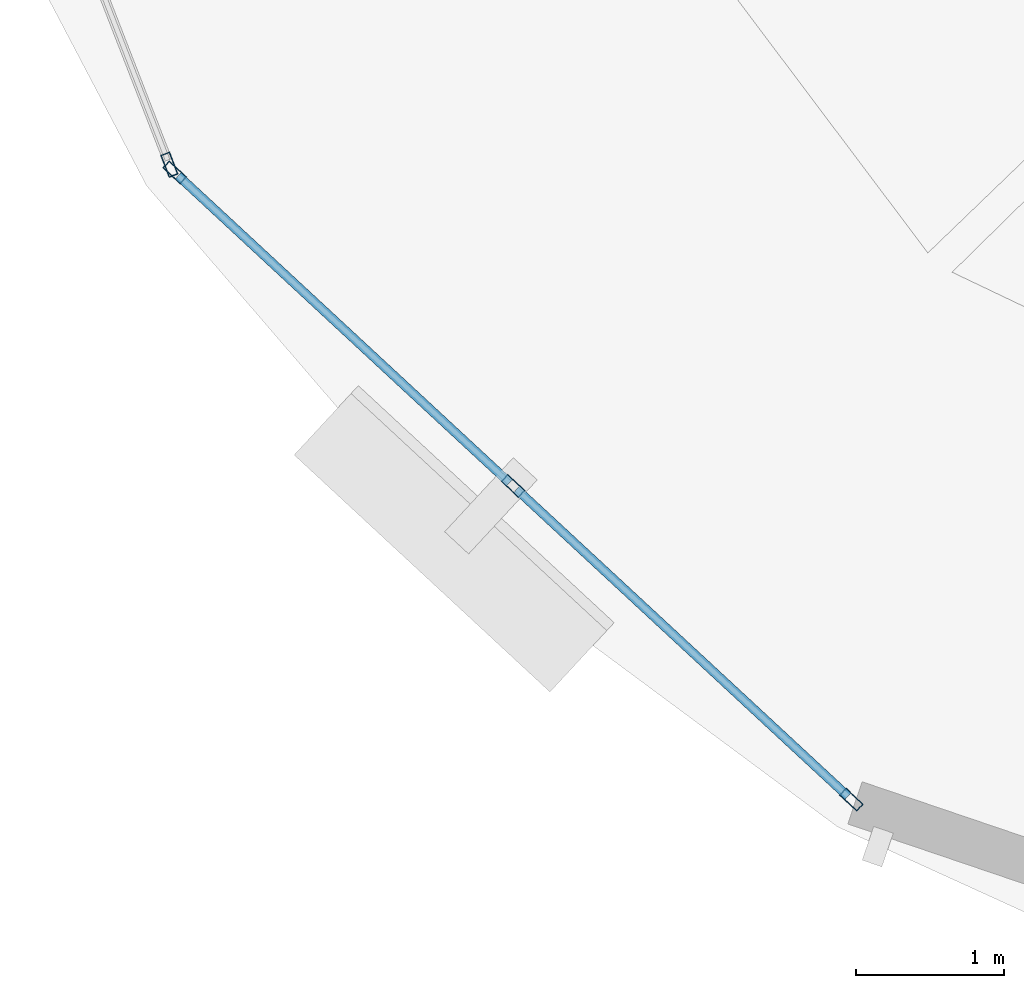
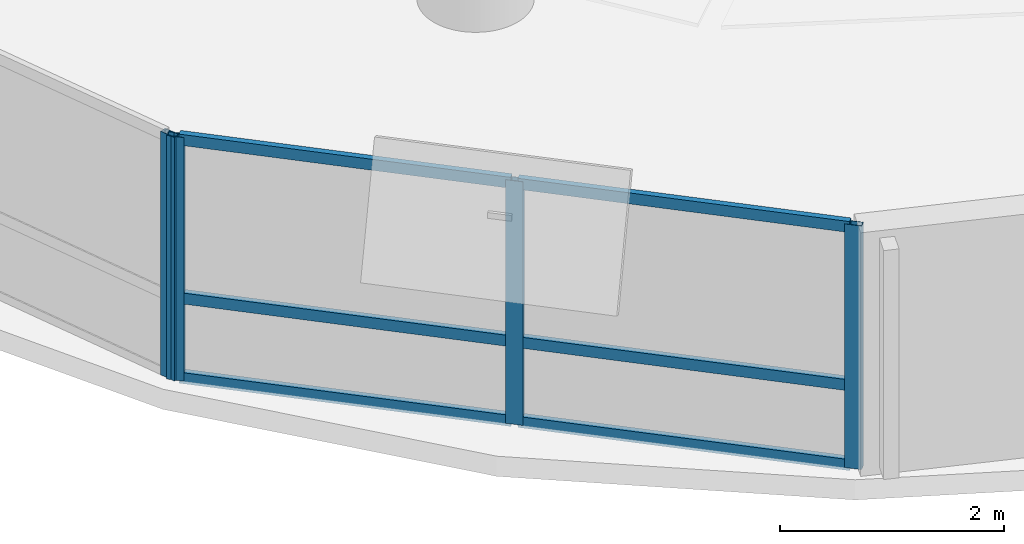
# One storey, part 2 of 12: 10 members, 2 elements without a shape of their own.
"""IFC4 building model written with IfcOpenShell, lengths in metres."""

from ifc_helpers import new_model, si_unit, direction, frame, origin, origin_2d, place, context, subcontext, project, spatial, hollow_rectangle, extrude, material, layer, layer_set, material_profile, profile_set, type_object, element, aggregate, save


model = new_model("IFC4")

# Units and contexts
model_context = context("Model", 3, precision=1e-05, world=origin(), true_north=direction((0.0, 1.0)))
body_context = subcontext(model_context, "Body", "Model", "MODEL_VIEW")
ifc_project = project(units=[si_unit("LENGTHUNIT", "METRE"), si_unit("AREAUNIT", "SQUARE_METRE"), si_unit("VOLUMEUNIT", "CUBIC_METRE"), si_unit("PLANEANGLEUNIT", "RADIAN"), si_unit("MASSUNIT", "GRAM", prefix="KILO"), si_unit("THERMODYNAMICTEMPERATUREUNIT", "KELVIN"), si_unit("POWERUNIT", "WATT")], contexts=[model_context])

# Site, building, storey
site_placement = place(None, origin())
site = spatial("IfcSite", under=ifc_project, at=site_placement, CompositionType="ELEMENT")
building_placement = place(site_placement, origin())
building = spatial("IfcBuilding", under=site, at=building_placement, Name="Ocrelia Relay Tower", CompositionType="ELEMENT")
storey_placement = place(building_placement, frame((0.0, 0.0, 177.199951171875)))
storey = spatial("IfcBuildingStorey", under=building, at=storey_placement, Name="L42", CompositionType="ELEMENT", Elevation=177.199951171875)

# Curtain wall, member
ifc_material_1 = material(Name="Aluminium and solar-control low-E glass", Category="aluminium")
ifc_layer = layer(ifc_material_1, 0.179931640625, Name="Aluminium and solar-control low-E glass")
ifc_layer_set = layer_set([ifc_layer], Name="Aluminium and solar-control low-E glass")
curtain_wall_type = type_object("IfcCurtainWallType", Name="CW-SYS-Z3-CLOU", PredefinedType="NOTDEFINED", material=ifc_layer_set)
curtain_wall_1_placement = place(storey_placement, origin())
curtain_wall_1 = element("IfcCurtainWall", 1, at=curtain_wall_1_placement, inside=storey, type_object=curtain_wall_type, Name="L42 Elliptical Tower Curtain Wall Bay 09", PredefinedType="NOTDEFINED")
ifc_material_2 = material(Name="Anodised bronze aluminium", Category="aluminium")
ifc_material_profile_1 = material_profile(ifc_material_2, hollow_rectangle(XDim=0.06494140625, YDim=0.159912109375, WallThickness=0.0048828125, at=origin_2d()), Name="CW-MUL-160x65")
ifc_profile_set_1 = profile_set([ifc_material_profile_1], Name="Anodised bronze aluminium")
member_type_1 = type_object("IfcMemberType", Name="CW-SYS-Z3-CLOU-MUL", PredefinedType="MULLION", material=ifc_profile_set_1)
member_1_placement = place(storey_placement, frame((14.634521484375, 12.87744140625, 0.0), z_axis=(0.0, 0.0, 1.0), x_axis=(0.932200483854, 0.361942340578, 0.0)))
member_1 = element("IfcMember", 2, at=member_1_placement, type_object=member_type_1, Name="CW-Z3 mullion 3", PredefinedType="MULLION", context=body_context, shape_type="SweptSolid", body=[
    extrude(hollow_rectangle(XDim=0.06494140625, YDim=0.159912109375, WallThickness=0.0048828125, at=origin_2d()), origin(), (0.0, 0.0, 1.0), 2.66015625),
])
aggregate(curtain_wall_1, [member_1])

# Curtain wall, members
curtain_wall_2_placement = place(storey_placement, origin())
curtain_wall_2 = element("IfcCurtainWall", 3, at=curtain_wall_2_placement, inside=storey, type_object=curtain_wall_type, Name="L42 Elliptical Tower Curtain Wall Bay 10", PredefinedType="NOTDEFINED")
member_2_placement = place(storey_placement, frame((14.670166015625, 12.8251953125, 0.0), z_axis=(0.0, 0.0, 1.0), x_axis=(0.679695539892, 0.733494357886, 0.0)))
member_2 = element("IfcMember", 4, at=member_2_placement, type_object=member_type_1, Name="CW-Z3 mullion 1", PredefinedType="MULLION", context=body_context, shape_type="SweptSolid", body=[
    extrude(hollow_rectangle(XDim=0.06494140625, YDim=0.159912109375, WallThickness=0.0048828125, at=origin_2d()), origin(), (0.0, 0.0, 1.0), 2.66015625),
])
member_3_placement = place(storey_placement, frame((16.950439453125, 10.712158203125, 0.0), z_axis=(0.0, 0.0, 1.0), x_axis=(0.679695539892, 0.733494357886, 0.0)))
member_3 = element("IfcMember", 5, at=member_3_placement, type_object=member_type_1, Name="CW-Z3 mullion 2", PredefinedType="MULLION", context=body_context, shape_type="SweptSolid", body=[
    extrude(hollow_rectangle(XDim=0.06494140625, YDim=0.159912109375, WallThickness=0.0048828125, at=origin_2d()), origin(), (0.0, 0.0, 1.0), 2.66015625),
])
member_4_placement = place(storey_placement, frame((19.230712890625, 8.598876953125, 0.0), z_axis=(0.0, 0.0, 1.0), x_axis=(0.679695539892, 0.733494357886, 0.0)))
member_4 = element("IfcMember", 6, at=member_4_placement, type_object=member_type_1, Name="CW-Z3 mullion 3", PredefinedType="MULLION", context=body_context, shape_type="SweptSolid", body=[
    extrude(hollow_rectangle(XDim=0.06494140625, YDim=0.159912109375, WallThickness=0.0048828125, at=origin_2d()), origin(), (0.0, 0.0, 1.0), 2.66015625),
])
ifc_material_profile_2 = material_profile(ifc_material_2, hollow_rectangle(XDim=0.06005859375, YDim=0.1201171875, WallThickness=0.0048828125, at=origin_2d()), Name="CW-TRN-120x60")
ifc_profile_set_2 = profile_set([ifc_material_profile_2], Name="Anodised bronze aluminium")
member_type_2 = type_object("IfcMemberType", Name="CW-SYS-Z3-CLOU-TRN", PredefinedType="USERDEFINED", material=ifc_profile_set_2)
member_5_placement = place(storey_placement, frame((14.694091796875, 12.802978515625, 0.030029296875), z_axis=(0.733467360337, -0.679724673173, 0.0), x_axis=(0.679724673173, 0.733467360337, 0.0)))
member_5 = element("IfcMember", 7, at=member_5_placement, type_object=member_type_2, Name="CW-Z3 transom 1.1", ObjectType="TRANSOM", PredefinedType="USERDEFINED", context=body_context, shape_type="SweptSolid", body=[
    extrude(hollow_rectangle(XDim=0.06005859375, YDim=0.1201171875, WallThickness=0.0048828125, at=origin_2d()), origin(), (0.0, 0.0, 1.0), 3.043701171875),
])
member_6_placement = place(storey_placement, frame((14.694091796875, 12.802978515625, 0.900146484375), z_axis=(0.733467360337, -0.679724673173, 0.0), x_axis=(0.679724673173, 0.733467360337, 0.0)))
member_6 = element("IfcMember", 8, at=member_6_placement, type_object=member_type_2, Name="CW-Z3 transom 1.2", ObjectType="TRANSOM", PredefinedType="USERDEFINED", context=body_context, shape_type="SweptSolid", body=[
    extrude(hollow_rectangle(XDim=0.06005859375, YDim=0.1201171875, WallThickness=0.0048828125, at=origin_2d()), origin(), (0.0, 0.0, 1.0), 3.043701171875),
])
member_7_placement = place(storey_placement, frame((14.694091796875, 12.802978515625, 2.630126953125), z_axis=(0.733467360337, -0.679724673173, 0.0), x_axis=(0.679724673173, 0.733467360337, 0.0)))
member_7 = element("IfcMember", 9, at=member_7_placement, type_object=member_type_2, Name="CW-Z3 transom 1.3", ObjectType="TRANSOM", PredefinedType="USERDEFINED", context=body_context, shape_type="SweptSolid", body=[
    extrude(hollow_rectangle(XDim=0.06005859375, YDim=0.1201171875, WallThickness=0.0048828125, at=origin_2d()), origin(), (0.0, 0.0, 1.0), 3.043701171875),
])
member_8_placement = place(storey_placement, frame((16.974365234375, 10.68994140625, 0.030029296875), z_axis=(0.733504417513, -0.679684683871, 0.0), x_axis=(0.679684683871, 0.733504417513, 0.0)))
member_8 = element("IfcMember", 10, at=member_8_placement, type_object=member_type_2, Name="CW-Z3 transom 2.1", ObjectType="TRANSOM", PredefinedType="USERDEFINED", context=body_context, shape_type="SweptSolid", body=[
    extrude(hollow_rectangle(XDim=0.06005859375, YDim=0.1201171875, WallThickness=0.0048828125, at=origin_2d()), origin(), (0.0, 0.0, 1.0), 3.0439453125),
])
member_9_placement = place(storey_placement, frame((16.974365234375, 10.68994140625, 0.900146484375), z_axis=(0.733504417513, -0.679684683871, 0.0), x_axis=(0.679684683871, 0.733504417513, 0.0)))
member_9 = element("IfcMember", 11, at=member_9_placement, type_object=member_type_2, Name="CW-Z3 transom 2.2", ObjectType="TRANSOM", PredefinedType="USERDEFINED", context=body_context, shape_type="SweptSolid", body=[
    extrude(hollow_rectangle(XDim=0.06005859375, YDim=0.1201171875, WallThickness=0.0048828125, at=origin_2d()), origin(), (0.0, 0.0, 1.0), 3.0439453125),
])
member_10_placement = place(storey_placement, frame((16.974365234375, 10.68994140625, 2.630126953125), z_axis=(0.733504417513, -0.679684683871, 0.0), x_axis=(0.679684683871, 0.733504417513, 0.0)))
member_10 = element("IfcMember", 12, at=member_10_placement, type_object=member_type_2, Name="CW-Z3 transom 2.3", ObjectType="TRANSOM", PredefinedType="USERDEFINED", context=body_context, shape_type="SweptSolid", body=[
    extrude(hollow_rectangle(XDim=0.06005859375, YDim=0.1201171875, WallThickness=0.0048828125, at=origin_2d()), origin(), (0.0, 0.0, 1.0), 3.0439453125),
])
aggregate(curtain_wall_2, [member_2, member_3, member_4, member_5, member_6, member_7, member_8, member_9, member_10])

save(model, "model.ifc")
